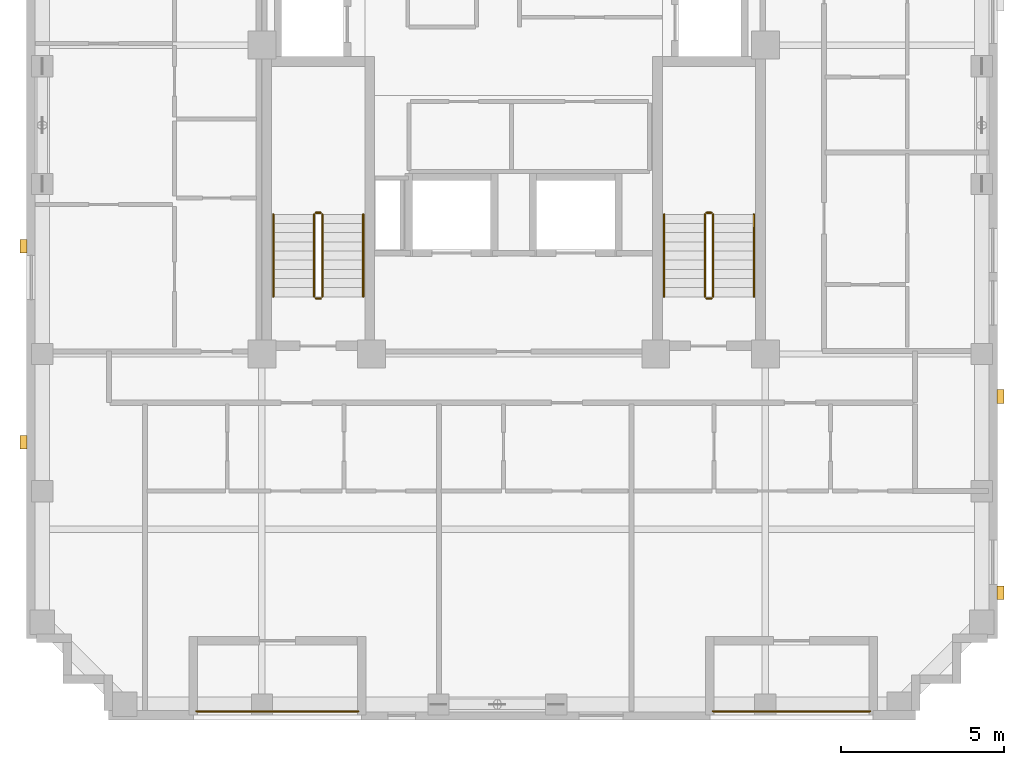
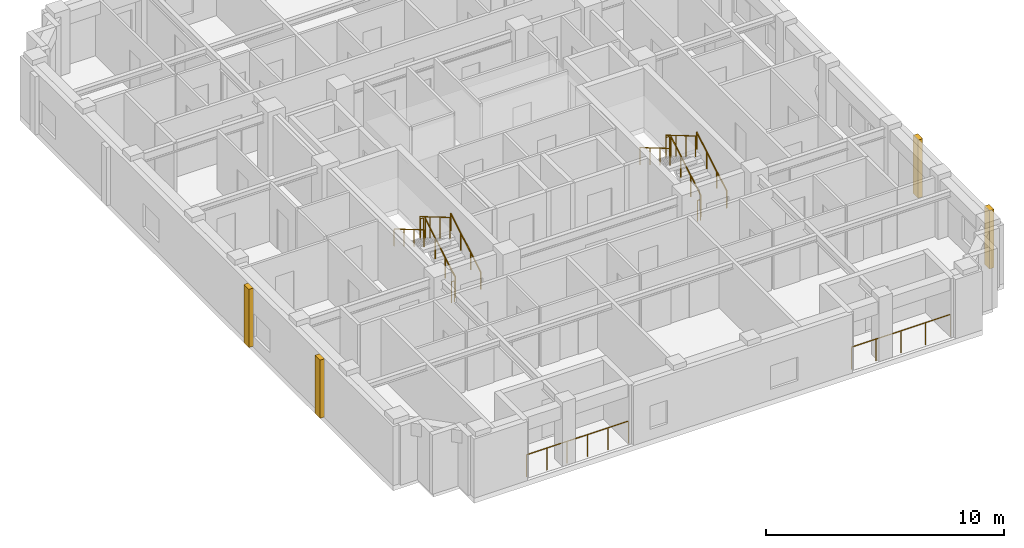
# One storey, part 10 of 11: 14 railings, 4 coverings.
"""IFC4 building model written with IfcOpenShell, lengths in metres."""

from ifc_helpers import new_model, si_unit, derived_unit, direction, frame, origin, origin_2d, place, context, subcontext, project, spatial, rectangle, circle, extrude, material, layer, layer_set, type_object, element, save


model = new_model("IFC4")

# Units and contexts
model_context = context("Model", 3, precision=1e-05, world=origin(), true_north=direction((0.0, 1.0)))
body_context = subcontext(model_context, "Body", "Model", "MODEL_VIEW")
ifc_project = project(units=[si_unit("LENGTHUNIT", "METRE"), si_unit("AREAUNIT", "SQUARE_METRE"), si_unit("VOLUMEUNIT", "CUBIC_METRE"), si_unit("PLANEANGLEUNIT", "RADIAN"), si_unit("MASSUNIT", "GRAM", prefix="KILO"), derived_unit("THERMALTRANSMITTANCEUNIT", [(si_unit("MASSUNIT", "GRAM", prefix="KILO"), 1), (si_unit("TIMEUNIT", "SECOND"), -3), (si_unit("THERMODYNAMICTEMPERATUREUNIT", "KELVIN"), -1)])], contexts=[model_context])

# Site, building, storey
site_placement = place(None, origin())
site = spatial("IfcSite", under=ifc_project, at=site_placement, CompositionType="ELEMENT")
building_placement = place(site_placement, origin())
building = spatial("IfcBuilding", under=site, at=building_placement, Name="Korrvale Station Residences", CompositionType="ELEMENT")
storey_placement = place(building_placement, frame((0.0, 0.0, 214.0)))
storey = spatial("IfcBuildingStorey", under=building, at=storey_placement, Name="L62", CompositionType="ELEMENT", Elevation=214.0)

# Coverings
ifc_material_1 = material(Name="Architectural precast concrete C45/55", Category="concrete")
ifc_layer = layer(ifc_material_1, 0.219970703125, Name="Architectural precast concrete C45/55")
ifc_layer_set = layer_set([ifc_layer], Name="Architectural precast concrete C45/55")
covering_type = type_object("IfcCoveringType", Name="COV-PIER-400", PredefinedType="CLADDING", material=ifc_layer_set)
for number, where, z_axis, x_axis, name in (
    (1, (10.510009765625, 12.300048828125, 0.02490234375), (0.0, 0.0, 1.0), (0.0, 1.0, 0.0), "L62 Architectural Precast Facade Pier 02"),
    (2, (10.510009765625, 18.300048828125, 0.02490234375), (0.0, 0.0, 1.0), (0.0, 1.0, 0.0), "L62 Architectural Precast Facade Pier 03"),
    (3, (40.389892578125, 13.699951171875, 0.02490234375), (0.0, 0.0, 1.0), (0.0, 1.0, 0.0), "L62 Architectural Precast Facade Pier 08"),
    (4, (40.389892578125, 7.699951171875, 0.02490234375), (0.0, 0.0, 1.0), (0.0, 1.0, 0.0), "L62 Architectural Precast Facade Pier 09"),
):
    element("IfcCovering", number, at=place(storey_placement, frame(where, z_axis=z_axis, x_axis=x_axis)), inside=storey, type_object=covering_type, Name=name, PredefinedType="CLADDING", context=body_context, shape_type="SweptSolid", body=[
        extrude(rectangle(XDim=0.419921875, YDim=0.219970703125, at=origin_2d()), origin(), (0.0, 0.0, 1.0), 2.989990234375),
    ])

# Railings
ifc_material_2 = material(Name="Powder-coated aluminium picket loggia guard", Category="aluminium")
railing_type_1 = type_object("IfcRailingType", Name="RLG-BAL-1150", PredefinedType="GUARDRAIL", material=ifc_material_2)
railing_1_placement = place(storey_placement, frame((31.60009765625, 4.070068359375, 0.0)))
element("IfcRailing", 5, at=railing_1_placement, inside=storey, type_object=railing_type_1, Name="L62 Recessed Loggia Guardrail BAL-L62-S2", PredefinedType="GUARDRAIL", context=body_context, shape_type="SweptSolid", body=[
    extrude(circle(Radius=0.02392578125, at=origin_2d()), frame((0.0, 0.0, 1.1259765625), z_axis=(1.0, 0.0, 0.0), x_axis=(0.0, 1.0, 0.0)), (0.0, 0.0, 1.0), 4.7998046875),
    extrude(circle(Radius=0.02099609375, at=origin_2d()), origin(), (0.0, 0.0, 1.0), 1.101806640625),
    extrude(circle(Radius=0.02099609375, at=origin_2d()), frame((1.199951171875, 0.0, 0.0)), (0.0, 0.0, 1.0), 1.101806640625),
    extrude(circle(Radius=0.02099609375, at=origin_2d()), frame((2.39990234375, 0.0, 0.0)), (0.0, 0.0, 1.0), 1.101806640625),
    extrude(circle(Radius=0.02099609375, at=origin_2d()), frame((3.599853515625, 0.0, 0.0)), (0.0, 0.0, 1.0), 1.101806640625),
    extrude(circle(Radius=0.02099609375, at=origin_2d()), frame((4.7998046875, 0.0, 0.0)), (0.0, 0.0, 1.0), 1.101806640625),
])
railing_2_placement = place(storey_placement, frame((15.800048828125, 4.070068359375, 0.0)))
element("IfcRailing", 6, at=railing_2_placement, inside=storey, type_object=railing_type_1, Name="L62 Recessed Loggia Guardrail BAL-L62-S1", PredefinedType="GUARDRAIL", context=body_context, shape_type="SweptSolid", body=[
    extrude(circle(Radius=0.02392578125, at=origin_2d()), frame((0.0, 0.0, 1.1259765625), z_axis=(1.0, 0.0, 0.0), x_axis=(0.0, 1.0, 0.0)), (0.0, 0.0, 1.0), 4.949951171875),
    extrude(circle(Radius=0.02099609375, at=origin_2d()), origin(), (0.0, 0.0, 1.0), 1.101806640625),
    extrude(circle(Radius=0.02099609375, at=origin_2d()), frame((0.989990234375, 0.0, 0.0)), (0.0, 0.0, 1.0), 1.101806640625),
    extrude(circle(Radius=0.02099609375, at=origin_2d()), frame((1.97998046875, 0.0, 0.0)), (0.0, 0.0, 1.0), 1.101806640625),
    extrude(circle(Radius=0.02099609375, at=origin_2d()), frame((2.969970703125, 0.0, 0.0)), (0.0, 0.0, 1.0), 1.101806640625),
    extrude(circle(Radius=0.02099609375, at=origin_2d()), frame((3.9599609375, 0.0, 0.0)), (0.0, 0.0, 1.0), 1.101806640625),
    extrude(circle(Radius=0.02099609375, at=origin_2d()), frame((4.949951171875, 0.0, 0.0)), (0.0, 0.0, 1.0), 1.101806640625),
])
ifc_material_3 = material(Name="Brushed stainless-steel continuous stair handrail", Category="steel")
railing_type_2 = type_object("IfcRailingType", Name="RLG-SHND-900", PredefinedType="HANDRAIL", material=ifc_material_3)
railing_3_placement = place(storey_placement, frame((20.89990234375, 16.75, 0.1650390625)))
element("IfcRailing", 7, at=railing_3_placement, inside=storey, type_object=railing_type_2, Name="L62 ST-1 stair handrail 1", PredefinedType="HANDRAIL", context=body_context, shape_type="SweptSolid", body=[
    extrude(circle(Radius=0.02392578125, at=origin_2d()), frame((0.0, 0.0, 0.8759765625), z_axis=(0.0, 0.861560626758, 0.507654692109), x_axis=(-1.0, 0.0, 0.0)), (0.0, 0.0, 1.0), 2.925048828125),
    extrude(circle(Radius=0.02099609375, at=origin_2d()), origin(), (0.0, 0.0, 1.0), 0.851806640625),
    extrude(circle(Radius=0.02099609375, at=origin_2d()), frame((0.0, 0.840087890625, 0.494873046875)), (0.0, 0.0, 1.0), 0.851806640625),
    extrude(circle(Radius=0.02099609375, at=origin_2d()), frame((0.0, 1.679931640625, 0.989990234375)), (0.0, 0.0, 1.0), 0.851806640625),
    extrude(circle(Radius=0.02099609375, at=origin_2d()), frame((0.0, 2.52001953125, 1.48486328125)), (0.0, 0.0, 1.0), 0.851806640625),
])
railing_4_placement = place(storey_placement, frame((18.14990234375, 19.27001953125, 1.81494140625)))
element("IfcRailing", 8, at=railing_4_placement, inside=storey, type_object=railing_type_2, Name="L62 ST-1 stair handrail 2", PredefinedType="HANDRAIL", context=body_context, shape_type="SweptSolid", body=[
    extrude(circle(Radius=0.02392578125, at=origin_2d()), frame((0.0, 0.0, 0.8759765625), z_axis=(0.0, -0.86152411907, 0.507716645641), x_axis=(1.0, 0.0, 0.0)), (0.0, 0.0, 1.0), 2.925048828125),
    extrude(circle(Radius=0.02099609375, at=origin_2d()), origin(), (0.0, 0.0, 1.0), 0.851806640625),
    extrude(circle(Radius=0.02099609375, at=origin_2d()), frame((0.0, -0.840087890625, 0.4951171875)), (0.0, 0.0, 1.0), 0.851806640625),
    extrude(circle(Radius=0.02099609375, at=origin_2d()), frame((0.0, -1.679931640625, 0.989990234375)), (0.0, 0.0, 1.0), 0.851806640625),
    extrude(circle(Radius=0.02099609375, at=origin_2d()), frame((0.0, -2.52001953125, 1.485107421875)), (0.0, 0.0, 1.0), 0.851806640625),
])
railing_5_placement = place(storey_placement, frame((32.85009765625, 16.75, 0.1650390625)))
element("IfcRailing", 9, at=railing_5_placement, inside=storey, type_object=railing_type_2, Name="L62 ST-2 stair handrail 1", PredefinedType="HANDRAIL", context=body_context, shape_type="SweptSolid", body=[
    extrude(circle(Radius=0.02392578125, at=origin_2d()), frame((0.0, 0.0, 0.8759765625), z_axis=(0.0, 0.861560626758, 0.507654692109), x_axis=(-1.0, 0.0, 0.0)), (0.0, 0.0, 1.0), 2.925048828125),
    extrude(circle(Radius=0.02099609375, at=origin_2d()), origin(), (0.0, 0.0, 1.0), 0.851806640625),
    extrude(circle(Radius=0.02099609375, at=origin_2d()), frame((0.0, 0.840087890625, 0.494873046875)), (0.0, 0.0, 1.0), 0.851806640625),
    extrude(circle(Radius=0.02099609375, at=origin_2d()), frame((0.0, 1.679931640625, 0.989990234375)), (0.0, 0.0, 1.0), 0.851806640625),
    extrude(circle(Radius=0.02099609375, at=origin_2d()), frame((0.0, 2.52001953125, 1.48486328125)), (0.0, 0.0, 1.0), 0.851806640625),
])
railing_6_placement = place(storey_placement, frame((30.10009765625, 19.27001953125, 1.81494140625)))
element("IfcRailing", 10, at=railing_6_placement, inside=storey, type_object=railing_type_2, Name="L62 ST-2 stair handrail 2", PredefinedType="HANDRAIL", context=body_context, shape_type="SweptSolid", body=[
    extrude(circle(Radius=0.02392578125, at=origin_2d()), frame((0.0, 0.0, 0.8759765625), z_axis=(0.0, -0.86152411907, 0.507716645641), x_axis=(1.0, 0.0, 0.0)), (0.0, 0.0, 1.0), 2.925048828125),
    extrude(circle(Radius=0.02099609375, at=origin_2d()), origin(), (0.0, 0.0, 1.0), 0.851806640625),
    extrude(circle(Radius=0.02099609375, at=origin_2d()), frame((0.0, -0.840087890625, 0.4951171875)), (0.0, 0.0, 1.0), 0.851806640625),
    extrude(circle(Radius=0.02099609375, at=origin_2d()), frame((0.0, -1.679931640625, 0.989990234375)), (0.0, 0.0, 1.0), 0.851806640625),
    extrude(circle(Radius=0.02099609375, at=origin_2d()), frame((0.0, -2.52001953125, 1.485107421875)), (0.0, 0.0, 1.0), 0.851806640625),
])
ifc_material_4 = material(Name="Galvanised painted tubular steel stair guard", Category="steel")
railing_type_3 = type_object("IfcRailingType", Name="RLG-STR-1100", PredefinedType="GUARDRAIL", material=ifc_material_4)
railing_7_placement = place(storey_placement, frame((19.64990234375, 16.75, 0.1650390625)))
element("IfcRailing", 11, at=railing_7_placement, inside=storey, type_object=railing_type_3, Name="L62 ST-1 stair guard 1", PredefinedType="GUARDRAIL", context=body_context, shape_type="SweptSolid", body=[
    extrude(circle(Radius=0.02392578125, at=origin_2d()), frame((0.0, 0.0, 1.076171875), z_axis=(0.0, 0.861560626758, 0.507654692109), x_axis=(-1.0, 0.0, 0.0)), (0.0, 0.0, 1.0), 2.925048828125),
    extrude(circle(Radius=0.02099609375, at=origin_2d()), origin(), (0.0, 0.0, 1.0), 1.052001953125),
    extrude(circle(Radius=0.02099609375, at=origin_2d()), frame((0.0, 0.840087890625, 0.494873046875)), (0.0, 0.0, 1.0), 1.052001953125),
    extrude(circle(Radius=0.02099609375, at=origin_2d()), frame((0.0, 1.679931640625, 0.989990234375)), (0.0, 0.0, 1.0), 1.052001953125),
    extrude(circle(Radius=0.02099609375, at=origin_2d()), frame((0.0, 2.52001953125, 1.48486328125)), (0.0, 0.0, 1.0), 1.052001953125),
])
railing_8_placement = place(storey_placement, frame((19.60009765625, 19.320068359375, 1.64990234375)))
element("IfcRailing", 12, at=railing_8_placement, inside=storey, type_object=railing_type_3, Name="L62 ST-1 stair guard 2", PredefinedType="GUARDRAIL", context=body_context, shape_type="SweptSolid", body=[
    extrude(circle(Radius=0.02392578125, at=origin_2d()), frame((0.0, 0.0, 1.076171875), z_axis=(-1.0, 0.0, 0.0), x_axis=(0.0, -1.0, 0.0)), (0.0, 0.0, 1.0), 0.150146484375),
    extrude(circle(Radius=0.02099609375, at=origin_2d()), origin(), (0.0, 0.0, 1.0), 1.052001953125),
    extrude(circle(Radius=0.02099609375, at=origin_2d()), frame((-0.150146484375, 0.0, 0.0)), (0.0, 0.0, 1.0), 1.052001953125),
])
railing_9_placement = place(storey_placement, frame((19.39990234375, 19.27001953125, 1.81494140625)))
element("IfcRailing", 13, at=railing_9_placement, inside=storey, type_object=railing_type_3, Name="L62 ST-1 stair guard 3", PredefinedType="GUARDRAIL", context=body_context, shape_type="SweptSolid", body=[
    extrude(circle(Radius=0.02392578125, at=origin_2d()), frame((0.0, 0.0, 1.076171875), z_axis=(0.0, -0.86152411907, 0.507716645641), x_axis=(1.0, 0.0, 0.0)), (0.0, 0.0, 1.0), 2.925048828125),
    extrude(circle(Radius=0.02099609375, at=origin_2d()), origin(), (0.0, 0.0, 1.0), 1.052001953125),
    extrude(circle(Radius=0.02099609375, at=origin_2d()), frame((0.0, -0.840087890625, 0.4951171875)), (0.0, 0.0, 1.0), 1.052001953125),
    extrude(circle(Radius=0.02099609375, at=origin_2d()), frame((0.0, -1.679931640625, 0.989990234375)), (0.0, 0.0, 1.0), 1.052001953125),
    extrude(circle(Radius=0.02099609375, at=origin_2d()), frame((0.0, -2.52001953125, 1.485107421875)), (0.0, 0.0, 1.0), 1.052001953125),
])
railing_10_placement = place(storey_placement, frame((19.60009765625, 16.699951171875, 0.0)))
element("IfcRailing", 14, at=railing_10_placement, inside=storey, type_object=railing_type_3, Name="L62 ST-1 stair guard 4", PredefinedType="GUARDRAIL", context=body_context, shape_type="SweptSolid", body=[
    extrude(circle(Radius=0.02392578125, at=origin_2d()), frame((0.0, 0.0, 1.076171875), z_axis=(-1.0, 0.0, 0.0), x_axis=(0.0, -1.0, 0.0)), (0.0, 0.0, 1.0), 0.150146484375),
    extrude(circle(Radius=0.02099609375, at=origin_2d()), origin(), (0.0, 0.0, 1.0), 1.052001953125),
    extrude(circle(Radius=0.02099609375, at=origin_2d()), frame((-0.150146484375, 0.0, 0.0)), (0.0, 0.0, 1.0), 1.052001953125),
])
railing_11_placement = place(storey_placement, frame((31.60009765625, 16.75, 0.1650390625)))
element("IfcRailing", 15, at=railing_11_placement, inside=storey, type_object=railing_type_3, Name="L62 ST-2 stair guard 1", PredefinedType="GUARDRAIL", context=body_context, shape_type="SweptSolid", body=[
    extrude(circle(Radius=0.02392578125, at=origin_2d()), frame((0.0, 0.0, 1.076171875), z_axis=(0.0, 0.861560626758, 0.507654692109), x_axis=(-1.0, 0.0, 0.0)), (0.0, 0.0, 1.0), 2.925048828125),
    extrude(circle(Radius=0.02099609375, at=origin_2d()), origin(), (0.0, 0.0, 1.0), 1.052001953125),
    extrude(circle(Radius=0.02099609375, at=origin_2d()), frame((0.0, 0.840087890625, 0.494873046875)), (0.0, 0.0, 1.0), 1.052001953125),
    extrude(circle(Radius=0.02099609375, at=origin_2d()), frame((0.0, 1.679931640625, 0.989990234375)), (0.0, 0.0, 1.0), 1.052001953125),
    extrude(circle(Radius=0.02099609375, at=origin_2d()), frame((0.0, 2.52001953125, 1.48486328125)), (0.0, 0.0, 1.0), 1.052001953125),
])
railing_12_placement = place(storey_placement, frame((31.550048828125, 19.320068359375, 1.64990234375)))
element("IfcRailing", 16, at=railing_12_placement, inside=storey, type_object=railing_type_3, Name="L62 ST-2 stair guard 2", PredefinedType="GUARDRAIL", context=body_context, shape_type="SweptSolid", body=[
    extrude(circle(Radius=0.02392578125, at=origin_2d()), frame((0.0, 0.0, 1.076171875), z_axis=(-1.0, 0.0, 0.0), x_axis=(0.0, -1.0, 0.0)), (0.0, 0.0, 1.0), 0.150146484375),
    extrude(circle(Radius=0.02099609375, at=origin_2d()), origin(), (0.0, 0.0, 1.0), 1.052001953125),
    extrude(circle(Radius=0.02099609375, at=origin_2d()), frame((-0.150146484375, 0.0, 0.0)), (0.0, 0.0, 1.0), 1.052001953125),
])
railing_13_placement = place(storey_placement, frame((31.35009765625, 19.27001953125, 1.81494140625)))
element("IfcRailing", 17, at=railing_13_placement, inside=storey, type_object=railing_type_3, Name="L62 ST-2 stair guard 3", PredefinedType="GUARDRAIL", context=body_context, shape_type="SweptSolid", body=[
    extrude(circle(Radius=0.02392578125, at=origin_2d()), frame((0.0, 0.0, 1.076171875), z_axis=(0.0, -0.86152411907, 0.507716645641), x_axis=(1.0, 0.0, 0.0)), (0.0, 0.0, 1.0), 2.925048828125),
    extrude(circle(Radius=0.02099609375, at=origin_2d()), origin(), (0.0, 0.0, 1.0), 1.052001953125),
    extrude(circle(Radius=0.02099609375, at=origin_2d()), frame((0.0, -0.840087890625, 0.4951171875)), (0.0, 0.0, 1.0), 1.052001953125),
    extrude(circle(Radius=0.02099609375, at=origin_2d()), frame((0.0, -1.679931640625, 0.989990234375)), (0.0, 0.0, 1.0), 1.052001953125),
    extrude(circle(Radius=0.02099609375, at=origin_2d()), frame((0.0, -2.52001953125, 1.485107421875)), (0.0, 0.0, 1.0), 1.052001953125),
])
railing_14_placement = place(storey_placement, frame((31.550048828125, 16.699951171875, 0.0)))
element("IfcRailing", 18, at=railing_14_placement, inside=storey, type_object=railing_type_3, Name="L62 ST-2 stair guard 4", PredefinedType="GUARDRAIL", context=body_context, shape_type="SweptSolid", body=[
    extrude(circle(Radius=0.02392578125, at=origin_2d()), frame((0.0, 0.0, 1.076171875), z_axis=(-1.0, 0.0, 0.0), x_axis=(0.0, -1.0, 0.0)), (0.0, 0.0, 1.0), 0.150146484375),
    extrude(circle(Radius=0.02099609375, at=origin_2d()), origin(), (0.0, 0.0, 1.0), 1.052001953125),
    extrude(circle(Radius=0.02099609375, at=origin_2d()), frame((-0.150146484375, 0.0, 0.0)), (0.0, 0.0, 1.0), 1.052001953125),
])

save(model, "model.ifc")
